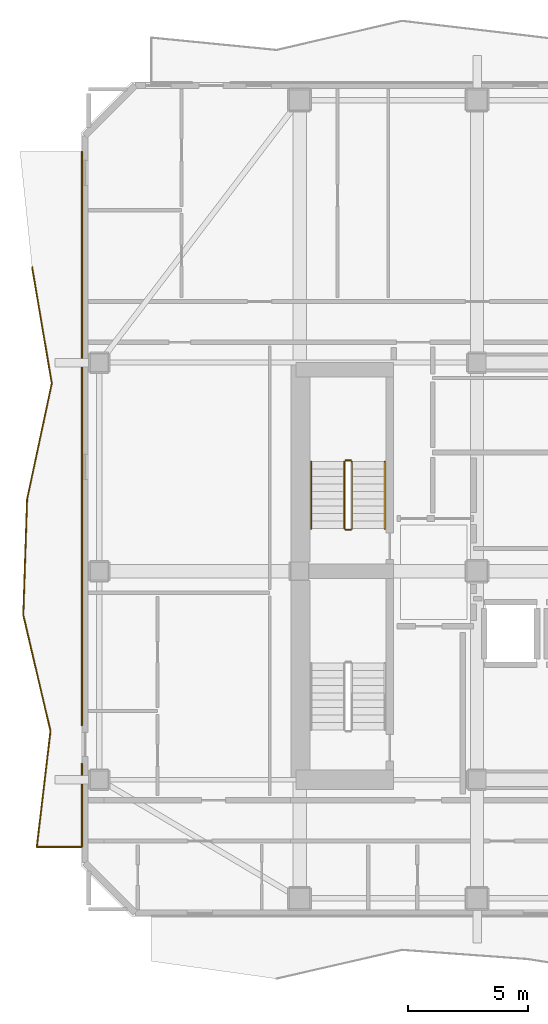
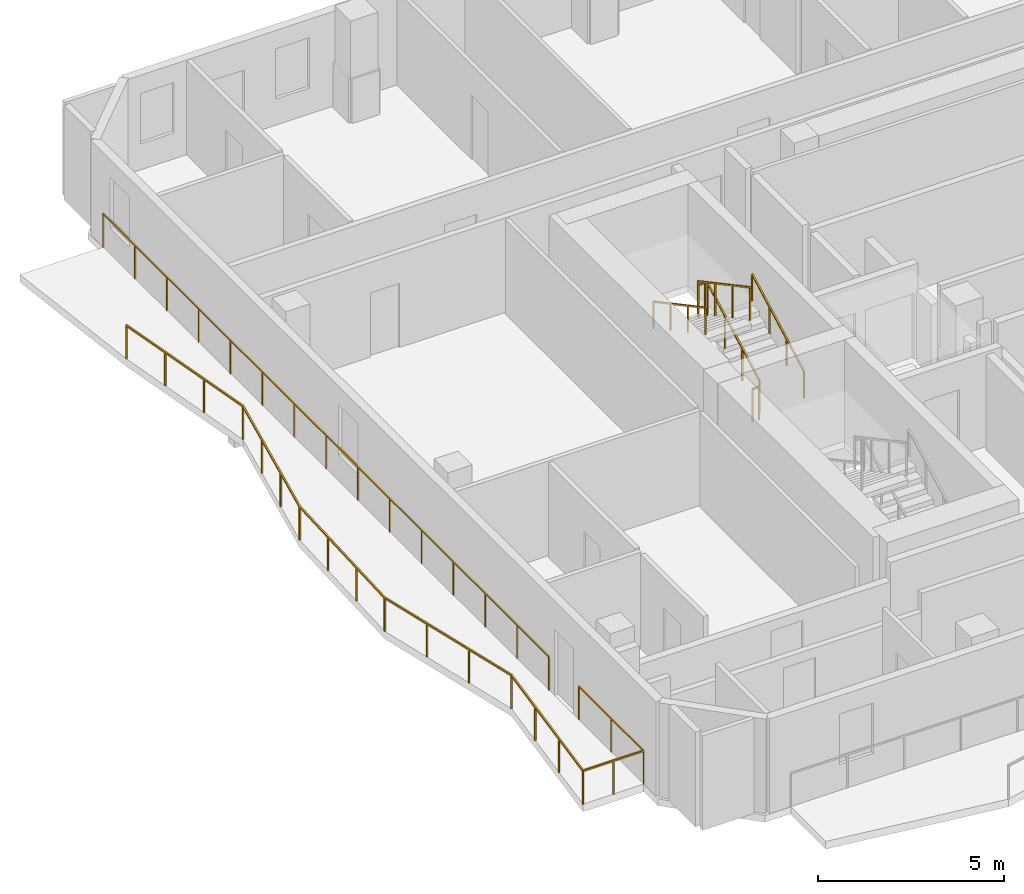
# One storey, part 8 of 10: 8 railings.
"""IFC4 building model written with IfcOpenShell, lengths in metres."""

import ifcopenshell
import ifcopenshell.guid

model = None  # the IFC model being written
_history = None  # IfcOwnerHistory: only IFC2X3 demands one
_inside = {}  # id of a spatial element -> (the spatial element, [elements in it])
_under = {}  # id of a project, library or spatial element -> (it, [spatial elements below it])
_declared = {}  # id of a project -> (the project, [libraries it declares])
_typed = {}  # id of a type object -> (the type object, [elements of that type])
_made_of = {}  # id of a material, layer set ... -> (it, [elements and type objects made of it])


def new_model(schema):
    """Start an empty IFC model of exactly this schema.

    Asked for "IFC4X3", IfcOpenShell would pick the latest addendum, in which some entities
    have other attributes; the version numbers below select the first issue.
    IFC2X3 requires an IfcOwnerHistory on every rooted entity: one is made here for all.
    """
    global model, _history
    if schema == "IFC4X3":
        model = ifcopenshell.file(schema_version=(4, 3, 0, 0))
    else:
        model = ifcopenshell.file(schema=schema)
    _inside.clear()
    _under.clear()
    _declared.clear()
    _typed.clear()
    _made_of.clear()
    _history = None
    if model.schema == "IFC2X3":
        org = make("IfcOrganization", Name="unknown")
        user = make(
            "IfcPersonAndOrganization",
            ThePerson=make("IfcPerson", FamilyName="unknown"),
            TheOrganization=org,
        )
        app = make(
            "IfcApplication",
            ApplicationDeveloper=org,
            Version="unknown",
            ApplicationFullName="unknown",
            ApplicationIdentifier="unknown",
        )
        _history = make(
            "IfcOwnerHistory",
            OwningUser=user,
            OwningApplication=app,
            ChangeAction="ADDED",
            CreationDate=0,
        )
    return model


def make(cls, **values):
    """One entity of the class cls with the attributes given. An attribute that is None is left unset."""
    return model.create_entity(
        cls, **{name: value for name, value in values.items() if value is not None}
    )


def rooted(cls, **values):
    """An entity with a GlobalId (a new one), such as an element, a storey or a relation."""
    return make(cls, GlobalId=ifcopenshell.guid.new(), OwnerHistory=_history, **values)


def si_unit(unit_type, name, prefix=None):
    """IfcSIUnit, for example si_unit("LENGTHUNIT", "METRE", prefix="MILLI")."""
    return make("IfcSIUnit", UnitType=unit_type, Prefix=prefix, Name=name)


def assignment(units):
    """IfcUnitAssignment: the units of a project."""
    return None if units is None else make("IfcUnitAssignment", Units=units)


def point(xyz):
    """IfcCartesianPoint."""
    return None if xyz is None else make("IfcCartesianPoint", Coordinates=xyz)


def direction(xyz):
    """IfcDirection."""
    return None if xyz is None else make("IfcDirection", DirectionRatios=xyz)


def frame(location, z_axis=None, x_axis=None):
    """IfcAxis2Placement3D, a coordinate frame: its origin and axes. An axis left out is left unset."""
    return make(
        "IfcAxis2Placement3D",
        Location=point(location),
        Axis=direction(z_axis),
        RefDirection=direction(x_axis),
    )


def frame_2d(location, x_axis=None):
    """IfcAxis2Placement2D, a coordinate frame in the plane: its origin and x axis."""
    return make(
        "IfcAxis2Placement2D", Location=point(location), RefDirection=direction(x_axis)
    )


def origin():
    """The frame at (0, 0, 0) with its axes left unset."""
    return frame((0.0, 0.0, 0.0))


def origin_2d():
    """The frame at (0, 0) in the plane with its x axis left unset."""
    return frame_2d((0.0, 0.0))


def place(relative_to, where):
    """IfcLocalPlacement: puts the frame where relative to a parent placement (None: the world)."""
    return make(
        "IfcLocalPlacement", PlacementRelTo=relative_to, RelativePlacement=where
    )


def context(
    kind, dimensions, precision=None, world=None, true_north=None, identifier=None
):
    """IfcGeometricRepresentationContext, for example the 3D "Model" context."""
    return make(
        "IfcGeometricRepresentationContext",
        ContextIdentifier=identifier,
        ContextType=kind,
        CoordinateSpaceDimension=dimensions,
        Precision=precision,
        WorldCoordinateSystem=world,
        TrueNorth=true_north,
    )


def subcontext(parent, identifier, kind, view, scale=None):
    """IfcGeometricRepresentationSubContext, for example "Body" below "Model"."""
    return make(
        "IfcGeometricRepresentationSubContext",
        ContextIdentifier=identifier,
        ContextType=kind,
        ParentContext=parent,
        TargetScale=scale,
        TargetView=view,
    )


def project(units=None, contexts=None):
    """IfcProject with its units and contexts."""
    return rooted(
        "IfcProject",
        Name="project",
        RepresentationContexts=contexts,
        UnitsInContext=assignment(units),
    )


def spatial(cls, under=None, at=None, **own):
    """A site, building, storey or space (cls), placed at a placement, below another one or the project."""
    s = rooted(cls, ObjectPlacement=at, **own)
    if under is not None:
        _under.setdefault(under.id(), (under, []))[1].append(s)
    return s


def profile(cls, at=None, kind="AREA", **sizes):
    """A parametric profile (cls). Its sizes go by their IFC names, for example OverallWidth=200.0."""
    return make(cls, ProfileType=kind, Position=at, **sizes)


def rectangle(**sizes):
    """IfcRectangleProfileDef."""
    return profile("IfcRectangleProfileDef", **sizes)


def extrude(swept, where, along, depth):
    """IfcExtrudedAreaSolid: the profile swept, set in the frame where, extruded along a direction by depth."""
    return make(
        "IfcExtrudedAreaSolid",
        SweptArea=swept,
        Position=where,
        ExtrudedDirection=direction(along),
        Depth=depth,
    )


def shape(context_of_items, identifier, shape_type, items):
    """IfcShapeRepresentation: the items that make up one representation, for example the "Body"."""
    return make(
        "IfcShapeRepresentation",
        ContextOfItems=context_of_items,
        RepresentationIdentifier=identifier,
        RepresentationType=shape_type,
        Items=items,
    )


def material(Name=None, Category=None):
    """IfcMaterial."""
    return make("IfcMaterial", Name=Name, Category=Category)


def made_of(thing, what):
    """Note that an element or type object is made of a material, layer set ...; save() writes the relation."""
    if what is not None:
        _made_of.setdefault(what.id(), (what, []))[1].append(thing)
    return thing


def type_object(cls, material=None, **own):
    """A type object (cls), such as IfcWallType, which elements share."""
    return made_of(rooted(cls, **own), material)


def element(
    cls,
    number,
    at=None,
    inside=None,
    cuts=None,
    type_object=None,
    material=None,
    context=None,
    identifier="Body",
    shape_type=None,
    held_by="IfcProductDefinitionShape",
    body=None,
    shapes=None,
    **own,
):
    """One element of the class cls, such as IfcWall. Its Tag is "e" and its number.

    at: its placement. inside: the storey or other place that contains it. cuts: it is an
    opening in that element (IfcRelVoidsElement). A single representation is given by context,
    identifier, shape_type and body (its items); several are given by shapes. held_by: the class
    of the entity that holds the representations. save() writes the other relations.
    """
    e = rooted(cls, Tag="e%d" % number, ObjectPlacement=at, **own)
    if body is not None:
        shapes = [shape(context, identifier, shape_type, body)]
    if shapes is not None:
        e.Representation = make(held_by, Representations=shapes)
    if inside is not None:
        _inside.setdefault(inside.id(), (inside, []))[1].append(e)
    if cuts is not None:
        rooted(
            "IfcRelVoidsElement", RelatingBuildingElement=cuts, RelatedOpeningElement=e
        )
    if type_object is not None:
        _typed.setdefault(type_object.id(), (type_object, []))[1].append(e)
    return made_of(e, material)


def aggregate(whole, parts):
    """IfcRelAggregates: a whole, such as a stair, and the parts it consists of."""
    return rooted("IfcRelAggregates", RelatingObject=whole, RelatedObjects=parts)


def save(model, path):
    """Write the relations noted so far, then the file.

    IfcRelAggregates (storeys below a building ...), IfcRelContainedInSpatialStructure (elements
    in a storey), IfcRelDefinesByType, IfcRelAssociatesMaterial and IfcRelDeclares: one each for
    every whole, place, type object, material and project.
    """
    for whole, parts in _under.values():
        aggregate(whole, parts)
    for where, things in _inside.values():
        rooted(
            "IfcRelContainedInSpatialStructure",
            RelatedElements=things,
            RelatingStructure=where,
        )
    for kind, things in _typed.values():
        rooted("IfcRelDefinesByType", RelatedObjects=things, RelatingType=kind)
    for what, things in _made_of.values():
        rooted("IfcRelAssociatesMaterial", RelatedObjects=things, RelatingMaterial=what)
    for by, libraries in _declared.values():
        rooted("IfcRelDeclares", RelatingContext=by, RelatedDefinitions=libraries)
    model.write(path)


model = new_model("IFC4")

# Units and contexts
model_context = context("Model", 3, precision=1e-05, world=origin(), true_north=direction((0.0, 1.0)))
body_context = subcontext(model_context, "Body", "Model", "MODEL_VIEW")
ifc_project = project(units=[si_unit("LENGTHUNIT", "METRE"), si_unit("AREAUNIT", "SQUARE_METRE"), si_unit("VOLUMEUNIT", "CUBIC_METRE"), si_unit("PLANEANGLEUNIT", "RADIAN"), si_unit("MASSUNIT", "GRAM", prefix="KILO")], contexts=[model_context])

# Site, building, storey
site_placement = place(None, origin())
site = spatial("IfcSite", under=ifc_project, at=site_placement, CompositionType="ELEMENT")
building_placement = place(site_placement, origin())
building = spatial("IfcBuilding", under=site, at=building_placement, Name="Solanera Arch Residences", CompositionType="ELEMENT")
storey_placement = place(building_placement, frame((0.0, 0.0, 265.56005859375)))
storey = spatial("IfcBuildingStorey", under=building, at=storey_placement, Name="L77", CompositionType="ELEMENT", Elevation=265.56005859375)

# Railings
ifc_material_1 = material(Name="Steel S355 (ASTM A992 / A572 Grade 50)", Category="steel")
railing_type_1 = type_object("IfcRailingType", Name="Balustrade Railing BL-1100", PredefinedType="BALUSTRADE", material=ifc_material_1)
railing_1_placement = place(storey_placement, frame((2.239990234375, 43.366943359375, 0.0)))
element("IfcRailing", 1, at=railing_1_placement, inside=storey, type_object=railing_type_1, Name="L77 W Balcony Balustrade 1", PredefinedType="BALUSTRADE", context=body_context, shape_type="SweptSolid", body=[
    extrude(rectangle(XDim=0.048095703125, YDim=0.048095703125, at=origin_2d()), frame((0.0, 0.0, 1.09619140625), z_axis=(0.167450311987, -0.985880516602, 0.0), x_axis=(0.985880516602, 0.167450311987, 0.0)), (0.0, 0.0, 1.0), 4.9033203125),
    extrude(rectangle(XDim=0.048095703125, YDim=0.048095703125, at=origin_2d()), frame((0.821044921875, -4.833984375, 1.09619140625), z_axis=(-0.20882054256, -0.977953976936, 0.0), x_axis=(0.977953976936, -0.20882054256, 0.0)), (0.0, 0.0, 1.0), 4.94189453125),
    extrude(rectangle(XDim=0.048095703125, YDim=0.048095703125, at=origin_2d()), frame((-0.2109375, -9.6669921875, 1.09619140625), z_axis=(-0.032665928118, -0.999466326166, 0.0), x_axis=(0.999466326166, -0.032665928118, 0.0)), (0.0, 0.0, 1.0), 4.835693359375),
    extrude(rectangle(XDim=0.048095703125, YDim=0.048095703125, at=origin_2d()), frame((-0.368896484375, -14.5, 1.09619140625), z_axis=(0.228348629567, -0.973579428385, 0.0), x_axis=(0.973579428385, 0.228348629567, 0.0)), (0.0, 0.0, 1.0), 4.965087890625),
    extrude(rectangle(XDim=0.048095703125, YDim=0.048095703125, at=origin_2d()), frame((0.764892578125, -19.333984375, 1.09619140625), z_axis=(-0.117289481832, -0.993097768325, 0.0), x_axis=(0.993097768325, -0.117289481832, 0.0)), (0.0, 0.0, 1.0), 4.86669921875),
    extrude(rectangle(XDim=0.048095703125, YDim=0.048095703125, at=origin_2d()), frame((0.194091796875, -24.1669921875, 1.09619140625), z_axis=(1.0, 0.0, 0.0), x_axis=(0.0, 1.0, 0.0)), (0.0, 0.0, 1.0), 1.885986328125),
    extrude(rectangle(XDim=0.048095703125, YDim=0.048095703125, at=origin_2d()), frame((2.080078125, -24.1669921875, 1.09619140625), z_axis=(0.0, 1.0, 0.0), x_axis=(-1.0, 0.0, 0.0)), (0.0, 0.0, 1.0), 3.47900390625),
    extrude(rectangle(XDim=0.0419921875, YDim=0.0419921875, at=origin_2d()), origin(), (0.0, 0.0, 1.0), 1.072021484375),
    extrude(rectangle(XDim=0.0419921875, YDim=0.0419921875, at=origin_2d()), frame((0.273681640625, -1.611328125, 0.0)), (0.0, 0.0, 1.0), 1.072021484375),
    extrude(rectangle(XDim=0.0419921875, YDim=0.0419921875, at=origin_2d()), frame((0.54736328125, -3.22265625, 0.0)), (0.0, 0.0, 1.0), 1.072021484375),
    extrude(rectangle(XDim=0.0419921875, YDim=0.0419921875, at=origin_2d()), frame((0.821044921875, -4.833984375, 0.0)), (0.0, 0.0, 1.0), 1.072021484375),
    extrude(rectangle(XDim=0.0419921875, YDim=0.0419921875, at=origin_2d()), frame((0.47705078125, -6.445068359375, 0.0)), (0.0, 0.0, 1.0), 1.072021484375),
    extrude(rectangle(XDim=0.0419921875, YDim=0.0419921875, at=origin_2d()), frame((0.133056640625, -8.055908203125, 0.0)), (0.0, 0.0, 1.0), 1.072021484375),
    extrude(rectangle(XDim=0.0419921875, YDim=0.0419921875, at=origin_2d()), frame((-0.2109375, -9.6669921875, 0.0)), (0.0, 0.0, 1.0), 1.072021484375),
    extrude(rectangle(XDim=0.0419921875, YDim=0.0419921875, at=origin_2d()), frame((-0.263671875, -11.278076171875, 0.0)), (0.0, 0.0, 1.0), 1.072021484375),
    extrude(rectangle(XDim=0.0419921875, YDim=0.0419921875, at=origin_2d()), frame((-0.316162109375, -12.888916015625, 0.0)), (0.0, 0.0, 1.0), 1.072021484375),
    extrude(rectangle(XDim=0.0419921875, YDim=0.0419921875, at=origin_2d()), frame((-0.368896484375, -14.5, 0.0)), (0.0, 0.0, 1.0), 1.072021484375),
    extrude(rectangle(XDim=0.0419921875, YDim=0.0419921875, at=origin_2d()), frame((0.009033203125, -16.111328125, 0.0)), (0.0, 0.0, 1.0), 1.072021484375),
    extrude(rectangle(XDim=0.0419921875, YDim=0.0419921875, at=origin_2d()), frame((0.386962890625, -17.72265625, 0.0)), (0.0, 0.0, 1.0), 1.072021484375),
    extrude(rectangle(XDim=0.0419921875, YDim=0.0419921875, at=origin_2d()), frame((0.764892578125, -19.333984375, 0.0)), (0.0, 0.0, 1.0), 1.072021484375),
    extrude(rectangle(XDim=0.0419921875, YDim=0.0419921875, at=origin_2d()), frame((0.57470703125, -20.945068359375, 0.0)), (0.0, 0.0, 1.0), 1.072021484375),
    extrude(rectangle(XDim=0.0419921875, YDim=0.0419921875, at=origin_2d()), frame((0.38427734375, -22.555908203125, 0.0)), (0.0, 0.0, 1.0), 1.072021484375),
    extrude(rectangle(XDim=0.0419921875, YDim=0.0419921875, at=origin_2d()), frame((0.194091796875, -24.1669921875, 0.0)), (0.0, 0.0, 1.0), 1.072021484375),
    extrude(rectangle(XDim=0.0419921875, YDim=0.0419921875, at=origin_2d()), frame((1.13720703125, -24.1669921875, 0.0)), (0.0, 0.0, 1.0), 1.072021484375),
    extrude(rectangle(XDim=0.0419921875, YDim=0.0419921875, at=origin_2d()), frame((2.080078125, -24.1669921875, 0.0)), (0.0, 0.0, 1.0), 1.072021484375),
    extrude(rectangle(XDim=0.0419921875, YDim=0.0419921875, at=origin_2d()), frame((2.080078125, -22.427490234375, 0.0)), (0.0, 0.0, 1.0), 1.072021484375),
    extrude(rectangle(XDim=0.0419921875, YDim=0.0419921875, at=origin_2d()), frame((2.080078125, -20.68798828125, 0.0)), (0.0, 0.0, 1.0), 1.072021484375),
])
railing_2_placement = place(storey_placement, frame((4.320068359375, 24.279052734375, 0.0)))
element("IfcRailing", 2, at=railing_2_placement, inside=storey, type_object=railing_type_1, Name="L77 W Balcony Balustrade 2", PredefinedType="BALUSTRADE", context=body_context, shape_type="SweptSolid", body=[
    extrude(rectangle(XDim=0.048095703125, YDim=0.048095703125, at=origin_2d()), frame((0.0, 0.0, 1.09619140625), z_axis=(0.0, 1.0, 0.0), x_axis=(-1.0, 0.0, 0.0)), (0.0, 0.0, 1.0), 23.9208984375),
    extrude(rectangle(XDim=0.0419921875, YDim=0.0419921875, at=origin_2d()), origin(), (0.0, 0.0, 1.0), 1.072021484375),
    extrude(rectangle(XDim=0.0419921875, YDim=0.0419921875, at=origin_2d()), frame((0.0, 1.708740234375, 0.0)), (0.0, 0.0, 1.0), 1.072021484375),
    extrude(rectangle(XDim=0.0419921875, YDim=0.0419921875, at=origin_2d()), frame((0.0, 3.417236328125, 0.0)), (0.0, 0.0, 1.0), 1.072021484375),
    extrude(rectangle(XDim=0.0419921875, YDim=0.0419921875, at=origin_2d()), frame((0.0, 5.1259765625, 0.0)), (0.0, 0.0, 1.0), 1.072021484375),
    extrude(rectangle(XDim=0.0419921875, YDim=0.0419921875, at=origin_2d()), frame((0.0, 6.83447265625, 0.0)), (0.0, 0.0, 1.0), 1.072021484375),
    extrude(rectangle(XDim=0.0419921875, YDim=0.0419921875, at=origin_2d()), frame((0.0, 8.543212890625, 0.0)), (0.0, 0.0, 1.0), 1.072021484375),
    extrude(rectangle(XDim=0.0419921875, YDim=0.0419921875, at=origin_2d()), frame((0.0, 10.251708984375, 0.0)), (0.0, 0.0, 1.0), 1.072021484375),
    extrude(rectangle(XDim=0.0419921875, YDim=0.0419921875, at=origin_2d()), frame((0.0, 11.96044921875, 0.0)), (0.0, 0.0, 1.0), 1.072021484375),
    extrude(rectangle(XDim=0.0419921875, YDim=0.0419921875, at=origin_2d()), frame((0.0, 13.669189453125, 0.0)), (0.0, 0.0, 1.0), 1.072021484375),
    extrude(rectangle(XDim=0.0419921875, YDim=0.0419921875, at=origin_2d()), frame((0.0, 15.377685546875, 0.0)), (0.0, 0.0, 1.0), 1.072021484375),
    extrude(rectangle(XDim=0.0419921875, YDim=0.0419921875, at=origin_2d()), frame((0.0, 17.08642578125, 0.0)), (0.0, 0.0, 1.0), 1.072021484375),
    extrude(rectangle(XDim=0.0419921875, YDim=0.0419921875, at=origin_2d()), frame((0.0, 18.794921875, 0.0)), (0.0, 0.0, 1.0), 1.072021484375),
    extrude(rectangle(XDim=0.0419921875, YDim=0.0419921875, at=origin_2d()), frame((0.0, 20.503662109375, 0.0)), (0.0, 0.0, 1.0), 1.072021484375),
    extrude(rectangle(XDim=0.0419921875, YDim=0.0419921875, at=origin_2d()), frame((0.0, 22.212158203125, 0.0)), (0.0, 0.0, 1.0), 1.072021484375),
    extrude(rectangle(XDim=0.0419921875, YDim=0.0419921875, at=origin_2d()), frame((0.0, 23.9208984375, 0.0)), (0.0, 0.0, 1.0), 1.072021484375),
])
ifc_material_2 = material(Name="Steel S355 (ASTM A992 / A572 Grade 50)", Category="steel")
railing_type_2 = type_object("IfcRailingType", Name="Stair Guardrail GR-1100", PredefinedType="GUARDRAIL", material=ifc_material_2)
railing_3_placement = place(storey_placement, frame((15.570068359375, 32.47998046875, 0.15087890625)))
element("IfcRailing", 3, at=railing_3_placement, inside=storey, type_object=railing_type_2, Name="L77 ST-T1 stair guard 1", PredefinedType="GUARDRAIL", context=body_context, shape_type="SweptSolid", body=[
    extrude(rectangle(XDim=0.048095703125, YDim=0.048095703125, at=origin_2d()), frame((0.0, 0.0, 1.076171875), z_axis=(0.0, 0.881548766853, 0.472092969298), x_axis=(-1.0, 0.0, 0.0)), (0.0, 0.0, 1.0), 3.1650390625),
    extrude(rectangle(XDim=0.0419921875, YDim=0.0419921875, at=origin_2d()), origin(), (0.0, 0.0, 1.0), 1.052001953125),
    extrude(rectangle(XDim=0.0419921875, YDim=0.0419921875, at=origin_2d()), frame((0.0, 0.929931640625, 0.498046875)), (0.0, 0.0, 1.0), 1.052001953125),
    extrude(rectangle(XDim=0.0419921875, YDim=0.0419921875, at=origin_2d()), frame((0.0, 1.860107421875, 0.99609375)), (0.0, 0.0, 1.0), 1.052001953125),
    extrude(rectangle(XDim=0.0419921875, YDim=0.0419921875, at=origin_2d()), frame((0.0, 2.7900390625, 1.494140625)), (0.0, 0.0, 1.0), 1.052001953125),
])
railing_4_placement = place(storey_placement, frame((15.52001953125, 35.320068359375, 1.64501953125)))
element("IfcRailing", 4, at=railing_4_placement, inside=storey, type_object=railing_type_2, Name="L77 ST-T1 stair guard 2", PredefinedType="GUARDRAIL", context=body_context, shape_type="SweptSolid", body=[
    extrude(rectangle(XDim=0.048095703125, YDim=0.048095703125, at=origin_2d()), frame((0.0, 0.0, 1.076171875), z_axis=(-1.0, 0.0, 0.0), x_axis=(0.0, -1.0, 0.0)), (0.0, 0.0, 1.0), 0.199951171875),
    extrude(rectangle(XDim=0.0419921875, YDim=0.0419921875, at=origin_2d()), origin(), (0.0, 0.0, 1.0), 1.052001953125),
    extrude(rectangle(XDim=0.0419921875, YDim=0.0419921875, at=origin_2d()), frame((-0.199951171875, 0.0, 0.0)), (0.0, 0.0, 1.0), 1.052001953125),
])
railing_5_placement = place(storey_placement, frame((15.27001953125, 35.27001953125, 1.81103515625)))
element("IfcRailing", 5, at=railing_5_placement, inside=storey, type_object=railing_type_2, Name="L77 ST-T1 stair guard 3", PredefinedType="GUARDRAIL", context=body_context, shape_type="SweptSolid", body=[
    extrude(rectangle(XDim=0.048095703125, YDim=0.048095703125, at=origin_2d()), frame((0.0, 0.0, 1.076171875), z_axis=(0.0, -0.881580869306, 0.472033018838), x_axis=(1.0, 0.0, 0.0)), (0.0, 0.0, 1.0), 3.164794921875),
    extrude(rectangle(XDim=0.0419921875, YDim=0.0419921875, at=origin_2d()), origin(), (0.0, 0.0, 1.0), 1.052001953125),
    extrude(rectangle(XDim=0.0419921875, YDim=0.0419921875, at=origin_2d()), frame((0.0, -0.929931640625, 0.498046875)), (0.0, 0.0, 1.0), 1.052001953125),
    extrude(rectangle(XDim=0.0419921875, YDim=0.0419921875, at=origin_2d()), frame((0.0, -1.860107421875, 0.995849609375)), (0.0, 0.0, 1.0), 1.052001953125),
    extrude(rectangle(XDim=0.0419921875, YDim=0.0419921875, at=origin_2d()), frame((0.0, -2.7900390625, 1.493896484375)), (0.0, 0.0, 1.0), 1.052001953125),
])
railing_6_placement = place(storey_placement, frame((15.52001953125, 32.429931640625, -0.01513671875)))
element("IfcRailing", 6, at=railing_6_placement, inside=storey, type_object=railing_type_2, Name="L77 ST-T1 stair guard 4", PredefinedType="GUARDRAIL", context=body_context, shape_type="SweptSolid", body=[
    extrude(rectangle(XDim=0.048095703125, YDim=0.048095703125, at=origin_2d()), frame((0.0, 0.0, 1.076171875), z_axis=(-1.0, 0.0, 0.0), x_axis=(0.0, -1.0, 0.0)), (0.0, 0.0, 1.0), 0.199951171875),
    extrude(rectangle(XDim=0.0419921875, YDim=0.0419921875, at=origin_2d()), origin(), (0.0, 0.0, 1.0), 1.052001953125),
    extrude(rectangle(XDim=0.0419921875, YDim=0.0419921875, at=origin_2d()), frame((-0.199951171875, 0.0, 0.0)), (0.0, 0.0, 1.0), 1.052001953125),
])
ifc_material_3 = material(Name="Steel S355 (ASTM A992 / A572 Grade 50)", Category="steel")
railing_type_3 = type_object("IfcRailingType", Name="Stair Wall Handrail HR-920", PredefinedType="HANDRAIL", material=ifc_material_3)
railing_7_placement = place(storey_placement, frame((16.949951171875, 32.47998046875, 0.166015625)))
element("IfcRailing", 7, at=railing_7_placement, inside=storey, type_object=railing_type_3, Name="L77 ST-T1 stair handrail 1", PredefinedType="HANDRAIL", context=body_context, shape_type="SweptSolid", body=[
    extrude(rectangle(XDim=0.048095703125, YDim=0.048095703125, at=origin_2d()), frame((0.0, 0.0, 0.8759765625), z_axis=(0.0, 0.881580869306, 0.472033018838), x_axis=(-1.0, 0.0, 0.0)), (0.0, 0.0, 1.0), 3.164794921875),
    extrude(rectangle(XDim=0.0419921875, YDim=0.0419921875, at=origin_2d()), origin(), (0.0, 0.0, 1.0), 0.851806640625),
    extrude(rectangle(XDim=0.0419921875, YDim=0.0419921875, at=origin_2d()), frame((0.0, 0.929931640625, 0.498046875)), (0.0, 0.0, 1.0), 0.851806640625),
    extrude(rectangle(XDim=0.0419921875, YDim=0.0419921875, at=origin_2d()), frame((0.0, 1.860107421875, 0.995849609375)), (0.0, 0.0, 1.0), 0.851806640625),
    extrude(rectangle(XDim=0.0419921875, YDim=0.0419921875, at=origin_2d()), frame((0.0, 2.7900390625, 1.493896484375)), (0.0, 0.0, 1.0), 0.851806640625),
])
railing_8_placement = place(storey_placement, frame((13.889892578125, 35.27001953125, 1.825927734375)))
element("IfcRailing", 8, at=railing_8_placement, inside=storey, type_object=railing_type_3, Name="L77 ST-T1 stair handrail 2", PredefinedType="HANDRAIL", context=body_context, shape_type="SweptSolid", body=[
    extrude(rectangle(XDim=0.048095703125, YDim=0.048095703125, at=origin_2d()), frame((0.0, 0.0, 0.8759765625), z_axis=(0.0, -0.881580869306, 0.472033018838), x_axis=(1.0, 0.0, 0.0)), (0.0, 0.0, 1.0), 3.164794921875),
    extrude(rectangle(XDim=0.0419921875, YDim=0.0419921875, at=origin_2d()), origin(), (0.0, 0.0, 1.0), 0.851806640625),
    extrude(rectangle(XDim=0.0419921875, YDim=0.0419921875, at=origin_2d()), frame((0.0, -0.929931640625, 0.498046875)), (0.0, 0.0, 1.0), 0.851806640625),
    extrude(rectangle(XDim=0.0419921875, YDim=0.0419921875, at=origin_2d()), frame((0.0, -1.860107421875, 0.995849609375)), (0.0, 0.0, 1.0), 0.851806640625),
    extrude(rectangle(XDim=0.0419921875, YDim=0.0419921875, at=origin_2d()), frame((0.0, -2.7900390625, 1.493896484375)), (0.0, 0.0, 1.0), 0.851806640625),
])

save(model, "model.ifc")
